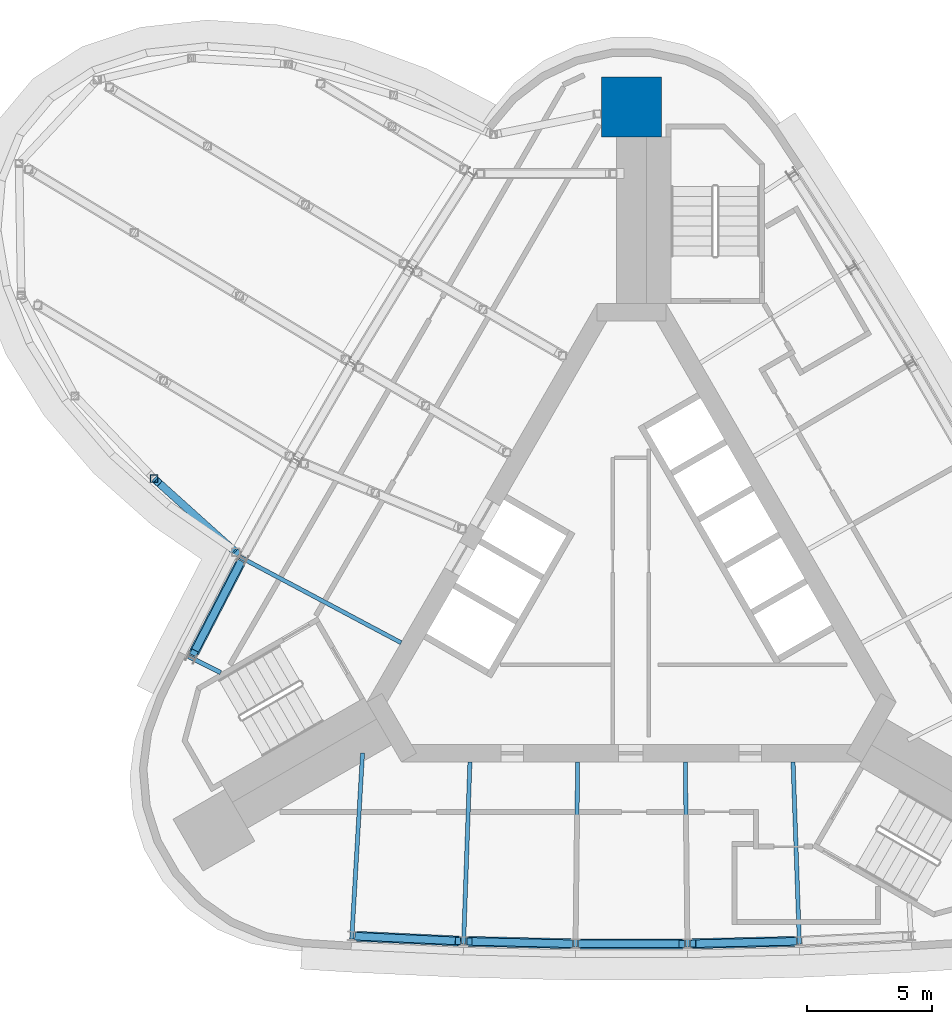
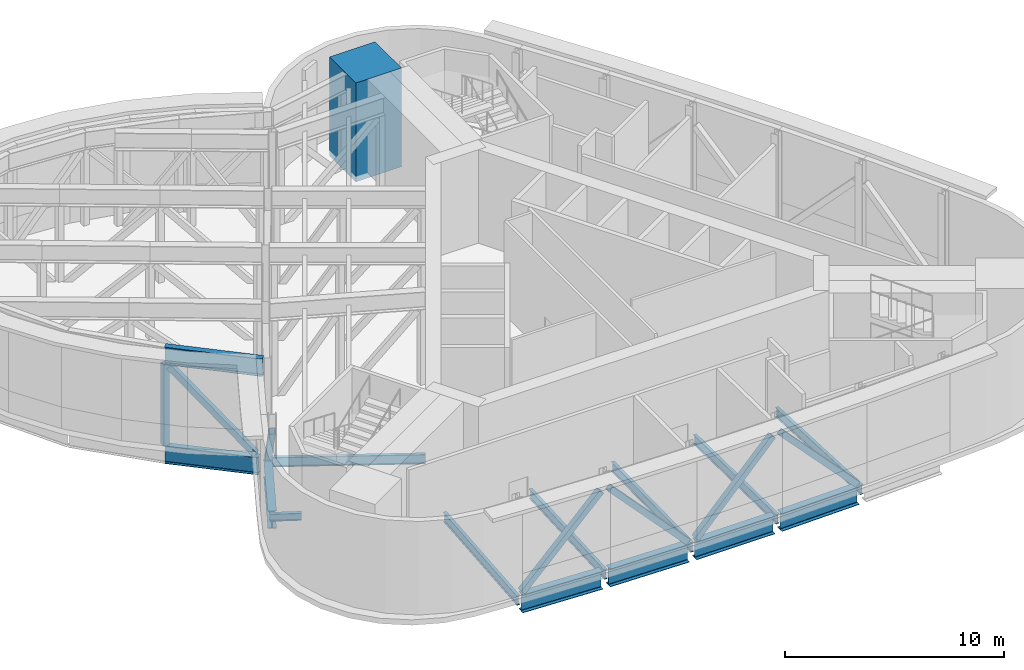
# One storey, part 2 of 11: 12 beams, 9 members, 1 column.
"""IFC4 building model written with IfcOpenShell, lengths in metres."""

from ifc_helpers import new_model, si_unit, direction, frame, origin, origin_2d, place, context, subcontext, project, spatial, rectangle, hollow_rectangle, i_section, extrude, material, material_profile, profile_set, type_object, element, save


model = new_model("IFC4")

# Units and contexts
model_context = context("Model", 3, precision=1e-05, world=origin(), true_north=direction((0.0, 1.0)))
body_context = subcontext(model_context, "Body", "Model", "MODEL_VIEW")
ifc_project = project(units=[si_unit("LENGTHUNIT", "METRE"), si_unit("AREAUNIT", "SQUARE_METRE"), si_unit("VOLUMEUNIT", "CUBIC_METRE"), si_unit("PLANEANGLEUNIT", "RADIAN"), si_unit("MASSUNIT", "GRAM", prefix="KILO")], contexts=[model_context])

# Site, building, storey
site_placement = place(None, origin())
site = spatial("IfcSite", under=ifc_project, at=site_placement, CompositionType="ELEMENT")
building_placement = place(site_placement, origin())
building = spatial("IfcBuilding", under=site, at=building_placement, Name="Noor Cloister Tower", CompositionType="ELEMENT")
storey_placement = place(building_placement, frame((0.0, 0.0, 258.0)))
storey = spatial("IfcBuildingStorey", under=building, at=storey_placement, Name="L66", CompositionType="ELEMENT", Elevation=258.0)

# Column
ifc_material_1 = material(Name="Concrete C60/75", Category="concrete")
ifc_material_profile_1 = material_profile(ifc_material_1, rectangle(XDim=2.39990234375, YDim=2.39990234375, at=origin_2d()), Name="RC 2400x2400")
ifc_profile_set_1 = profile_set([ifc_material_profile_1], Name="Concrete C60/75")
column_type = type_object("IfcColumnType", Name="Corner pier 2400 x 2400 C60/75", PredefinedType="COLUMN", material=ifc_profile_set_1)
column_placement = place(storey_placement, frame((0.0, 19.3349609375, -0.300048828125), z_axis=(0.0, 0.0, 1.0), x_axis=(0.0, 1.0, 0.0)))
element("IfcColumn", 1, at=column_placement, inside=storey, type_object=column_type, Name="Corner pier N L66", PredefinedType="COLUMN", context=body_context, shape_type="SweptSolid", body=[
    extrude(rectangle(XDim=2.39990234375, YDim=2.39990234375, at=origin_2d()), origin(), (0.0, 0.0, 1.0), 5.5),
])

# Beams
ifc_material_2 = material(Name="Steel ASTM A992 Gr 50", Category="steel")
ifc_material_profile_2 = material_profile(ifc_material_2, i_section(OverallWidth=0.40087890625, OverallDepth=0.98291015625, WebThickness=0.0166015625, FlangeThickness=0.027099609375, FilletRadius=0.030029296875, at=origin_2d()), Name="W1000x296")
ifc_profile_set_2 = profile_set([ifc_material_profile_2], Name="Steel ASTM A992 Gr 50")
beam_type_1 = type_object("IfcBeamType", Name="Belt chord girder W1000x296", PredefinedType="BEAM", material=ifc_profile_set_2)
beam_1_placement = place(storey_placement, frame((-15.677734375, 1.067138671875, -0.79150390625), z_axis=(-0.459295448048, -0.888283564749, 0.0), x_axis=(0.888283564749, -0.459295448048, 0.0)))
element("IfcBeam", 2, at=beam_1_placement, inside=storey, type_object=beam_type_1, Name="Spandrel beam NW 05 L66", PredefinedType="BEAM", context=body_context, shape_type="SweptSolid", body=[
    extrude(i_section(OverallWidth=0.40087890625, OverallDepth=0.98291015625, WebThickness=0.0166015625, FlangeThickness=0.027099609375, FilletRadius=0.030029296875, at=origin_2d()), origin(), (0.0, 0.0, 1.0), 4.116455078125),
])
for number, where, z_axis, x_axis, name in (
    (3, (-11.026611328125, -13.919921875, -0.79150390625), (0.998923795857, -0.046381570381, 0.0), (0.046381570381, 0.998923795857, 0.0), "Spandrel beam S 01 L66"),
    (4, (-6.5439453125, -14.123779296875, -0.79150390625), (0.999731038099, -0.023191624794, 0.0), (0.023191624794, 0.999731038099, 0.0), "Spandrel beam S 02 L66"),
    (5, (-2.05810546875, -14.2236328125, -0.79150390625), (1.0, 0.0, 0.0), (0.0, 1.0, 0.0), "Spandrel beam S 03 L66"),
    (6, (2.428955078125, -14.21923828125, -0.79150390625), (0.999731038099, 0.023191624794, 0.0), (-0.023191624794, 0.999731038099, 0.0), "Spandrel beam S 04 L66"),
):
    element("IfcBeam", number, at=place(storey_placement, frame(where, z_axis=z_axis, x_axis=x_axis)), inside=storey, type_object=beam_type_1, Name=name, PredefinedType="BEAM", context=body_context, shape_type="SweptSolid", body=[
        extrude(i_section(OverallWidth=0.40087890625, OverallDepth=0.98291015625, WebThickness=0.0166015625, FlangeThickness=0.027099609375, FilletRadius=0.030029296875, at=origin_2d()), origin(), (0.0, 0.0, 1.0), 4.1162109375),
    ])

# Members
ifc_material_3 = material(Name="Steel ASTM A500 Gr C", Category="steel")
ifc_material_profile_3 = material_profile(ifc_material_3, hollow_rectangle(XDim=0.304931640625, YDim=0.304931640625, WallThickness=0.0126953125, at=origin_2d()), Name="HSS304.8x304.8x12.7")
ifc_profile_set_3 = profile_set([ifc_material_profile_3], Name="Steel ASTM A500 Gr C")
member_type_1 = type_object("IfcMemberType", Name="Belt truss diagonal HSS304.8x304.8x12.7", PredefinedType="BRACE", material=ifc_profile_set_3)
for number, where, z_axis, x_axis, name in (
    (7, (-15.697265625, 1.029296875, -0.19580078125), (-0.313804014351, -0.606878095793, 0.730223265463), (0.888276437596, -0.459309231794, 0.0), "Belt truss diagonal NW 05 L66"),
    (8, (-10.984130859375, -13.921875, -0.19580078125), (0.682473583847, -0.031694844503, 0.730222736008), (0.046391129357, 0.998923351973, 0.0), "Belt truss diagonal S 01 L66"),
    (9, (-2.471435546875, -14.21826171875, -0.19580078125), (-0.683017949044, 0.015847572211, 0.730229645891), (-0.023196034919, -0.999730935784, 0.0), "Belt truss diagonal S 02 L66"),
    (10, (-2.015625, -14.2236328125, -0.19580078125), (0.683214071492, 0.0, 0.730218140364), (0.0, 1.0, 0.0), "Belt truss diagonal S 03 L66"),
    (11, (6.50146484375, -14.124755859375, -0.19580078125), (-0.683017949044, -0.015847572211, 0.730229645891), (0.023196034919, -0.999730935784, 0.0), "Belt truss diagonal S 04 L66"),
):
    element("IfcMember", number, at=place(storey_placement, frame(where, z_axis=z_axis, x_axis=x_axis)), inside=storey, type_object=member_type_1, Name=name, PredefinedType="BRACE", context=body_context, shape_type="SweptSolid", body=[
        extrude(hollow_rectangle(XDim=0.304931640625, YDim=0.304931640625, WallThickness=0.0126953125, at=origin_2d()), origin(), (0.0, 0.0, 1.0), 5.900390625),
    ])
ifc_material_4 = material(Name="Steel ASTM A992 Gr 50", Category="steel")
ifc_material_profile_4 = material_profile(ifc_material_4, i_section(OverallWidth=0.300048828125, OverallDepth=0.97998046875, WebThickness=0.0166015625, FlangeThickness=0.026123046875, FilletRadius=0.02978515625, at=origin_2d()), Name="W1000x249")
ifc_profile_set_4 = profile_set([ifc_material_profile_4], Name="Steel ASTM A992 Gr 50")
member_type_2 = type_object("IfcMemberType", Name="Pod ring chord W1000x249", PredefinedType="CHORD", material=ifc_profile_set_4)
member_1_placement = place(storey_placement, frame((-19.142578125, 4.42919921875, -0.7900390625), z_axis=(0.743091809694, -0.669189481661, 0.0), x_axis=(0.669189481661, 0.743091809694, 0.0)))
element("IfcMember", 12, at=member_1_placement, inside=storey, type_object=member_type_2, Name="Pod truss 5 bottom chord ring 10", PredefinedType="CHORD", context=body_context, shape_type="SweptSolid", body=[
    extrude(i_section(OverallWidth=0.300048828125, OverallDepth=0.97998046875, WebThickness=0.0166015625, FlangeThickness=0.026123046875, FilletRadius=0.02978515625, at=origin_2d()), origin(), (0.0, 0.0, 1.0), 4.380615234375),
])
member_2_placement = place(storey_placement, frame((-19.142578125, 4.42919921875, 4.7099609375), z_axis=(0.743075697011, -0.669207373324, 0.0), x_axis=(0.669207373324, 0.743075697011, 0.0)))
element("IfcMember", 13, at=member_2_placement, inside=storey, type_object=member_type_2, Name="Pod truss 5 top chord ring 10", PredefinedType="CHORD", context=body_context, shape_type="SweptSolid", body=[
    extrude(i_section(OverallWidth=0.300048828125, OverallDepth=0.97998046875, WebThickness=0.0166015625, FlangeThickness=0.026123046875, FilletRadius=0.02978515625, at=origin_2d()), origin(), (0.0, 0.0, 1.0), 4.5576171875),
])
ifc_material_5 = material(Name="Steel ASTM A500 Gr C", Category="steel")
ifc_material_profile_5 = material_profile(ifc_material_5, hollow_rectangle(XDim=0.304931640625, YDim=0.304931640625, WallThickness=0.0126953125, at=origin_2d()), Name="HSS304.8x304.8x12.7")
ifc_profile_set_5 = profile_set([ifc_material_profile_5], Name="Steel ASTM A500 Gr C")
member_type_3 = type_object("IfcMemberType", Name="Pod truss diagonal HSS304.8x304.8x12.7", PredefinedType="BRACE", material=ifc_profile_set_5)
member_3_placement = place(storey_placement, frame((-19.0, 4.30078125, 4.115966796875), z_axis=(0.506441274603, -0.456058177988, -0.731797904936), x_axis=(0.669176313237, 0.743103668274, 0.0)))
element("IfcMember", 14, at=member_3_placement, inside=storey, type_object=member_type_3, Name="Pod truss 5 diagonal ring 10", PredefinedType="BRACE", context=body_context, shape_type="SweptSolid", body=[
    extrude(hollow_rectangle(XDim=0.304931640625, YDim=0.304931640625, WallThickness=0.0126953125, at=origin_2d()), origin(), (0.0, 0.0, 1.0), 5.892333984375),
])
ifc_material_6 = material(Name="Steel ASTM A500 Gr C", Category="steel")
ifc_material_profile_6 = material_profile(ifc_material_6, hollow_rectangle(XDim=0.304931640625, YDim=0.304931640625, WallThickness=0.0126953125, at=origin_2d()), Name="HSS304.8x304.8x12.7")
ifc_profile_set_6 = profile_set([ifc_material_profile_6], Name="Steel ASTM A500 Gr C")
member_type_4 = type_object("IfcMemberType", Name="Pod truss post HSS304.8x304.8x12.7", PredefinedType="POST", material=ifc_profile_set_6)
member_4_placement = place(storey_placement, frame((-19.146728515625, 4.432861328125, -0.300048828125), z_axis=(0.0, 0.0, 1.0), x_axis=(1.0, 0.0, 0.0)))
element("IfcMember", 15, at=member_4_placement, inside=storey, type_object=member_type_4, Name="Pod truss 5 post ring node 9", PredefinedType="POST", context=body_context, shape_type="SweptSolid", body=[
    extrude(hollow_rectangle(XDim=0.304931640625, YDim=0.304931640625, WallThickness=0.0126953125, at=origin_2d()), origin(), (0.0, 0.0, 1.0), 4.52001953125),
])

# Beams
ifc_material_7 = material(Name="Steel ASTM A992 Gr 50", Category="steel")
ifc_material_profile_7 = material_profile(ifc_material_7, i_section(OverallWidth=0.177978515625, OverallDepth=0.406005859375, WebThickness=0.0078125, FlangeThickness=0.0126953125, FilletRadius=0.01025390625, at=origin_2d()), Name="W410x60")
ifc_profile_set_7 = profile_set([ifc_material_profile_7], Name="Steel ASTM A992 Gr 50")
beam_type_2 = type_object("IfcBeamType", Name="Radial beam W410x60", PredefinedType="BEAM", material=ifc_profile_set_7)
beam_2_placement = place(storey_placement, frame((-17.76025390625, -2.700439453125, -0.5029296875), z_axis=(0.893545786666, -0.448972078344, 0.0), x_axis=(0.448972078344, 0.893545786666, 0.0)))
element("IfcBeam", 16, at=beam_2_placement, inside=storey, type_object=beam_type_2, Name="Radial beam NW 06 L66", PredefinedType="BEAM", context=body_context, shape_type="SweptSolid", body=[
    extrude(i_section(OverallWidth=0.177978515625, OverallDepth=0.406005859375, WebThickness=0.0078125, FlangeThickness=0.0126953125, FilletRadius=0.01025390625, at=origin_2d()), origin(), (0.0, 0.0, 1.0), 1.443115234375),
])
ifc_material_8 = material(Name="Steel ASTM A992 Gr 50", Category="steel")
ifc_material_profile_8 = material_profile(ifc_material_8, i_section(OverallWidth=0.166015625, OverallDepth=0.528076171875, WebThickness=0.009765625, FlangeThickness=0.013671875, FilletRadius=0.0126953125, at=origin_2d()), Name="W530x74")
ifc_profile_set_8 = profile_set([ifc_material_profile_8], Name="Steel ASTM A992 Gr 50")
beam_type_3 = type_object("IfcBeamType", Name="Radial beam W530x74", PredefinedType="BEAM", material=ifc_profile_set_8)
beam_3_placement = place(storey_placement, frame((-15.697998046875, 1.287841796875, -0.56396484375), z_axis=(0.882903889785, -0.469553747085, 0.0), x_axis=(0.469553747085, 0.882903889785, 0.0)))
element("IfcBeam", 17, at=beam_3_placement, inside=storey, type_object=beam_type_3, Name="Radial beam NW 05 L66", PredefinedType="BEAM", context=body_context, shape_type="SweptSolid", body=[
    extrude(i_section(OverallWidth=0.166015625, OverallDepth=0.528076171875, WebThickness=0.009765625, FlangeThickness=0.013671875, FilletRadius=0.0126953125, at=origin_2d()), origin(), (0.0, 0.0, 1.0), 7.31494140625),
])
beam_4_placement = place(storey_placement, frame((-11.21875, -14.03076171875, -0.56396484375), z_axis=(0.057949858057, 0.998319494927, 0.0), x_axis=(-0.998319494927, 0.057949858057, 0.0)))
element("IfcBeam", 18, at=beam_4_placement, inside=storey, type_object=beam_type_3, Name="Radial beam S 01 L66", PredefinedType="BEAM", context=body_context, shape_type="SweptSolid", body=[
    extrude(i_section(OverallWidth=0.166015625, OverallDepth=0.528076171875, WebThickness=0.009765625, FlangeThickness=0.013671875, FilletRadius=0.0126953125, at=origin_2d()), origin(), (0.0, 0.0, 1.0), 7.469482421875),
])
beam_5_placement = place(storey_placement, frame((-6.733642578125, -14.23876953125, -0.56396484375), z_axis=(0.034777240267, 0.999395088821, 0.0), x_axis=(-0.999395088821, 0.034777240267, 0.0)))
element("IfcBeam", 19, at=beam_5_placement, inside=storey, type_object=beam_type_3, Name="Radial beam S 02 L66", PredefinedType="BEAM", context=body_context, shape_type="SweptSolid", body=[
    extrude(i_section(OverallWidth=0.166015625, OverallDepth=0.528076171875, WebThickness=0.009765625, FlangeThickness=0.013671875, FilletRadius=0.0126953125, at=origin_2d()), origin(), (0.0, 0.0, 1.0), 7.31494140625),
])
for number, where, z_axis, x_axis, name in (
    (20, (-2.244873046875, -14.343017578125, -0.56396484375), (0.011589225268, 0.999932842674, 0.0), (-0.999932842674, 0.011589225268, 0.0), "Radial beam S 03 L66"),
    (21, (2.244873046875, -14.343017578125, -0.56396484375), (-0.011589225268, 0.999932842674, 0.0), (-0.999932842674, -0.011589225268, 0.0), "Radial beam S 04 L66"),
):
    element("IfcBeam", number, at=place(storey_placement, frame(where, z_axis=z_axis, x_axis=x_axis)), inside=storey, type_object=beam_type_3, Name=name, PredefinedType="BEAM", context=body_context, shape_type="SweptSolid", body=[
        extrude(i_section(OverallWidth=0.166015625, OverallDepth=0.528076171875, WebThickness=0.009765625, FlangeThickness=0.013671875, FilletRadius=0.0126953125, at=origin_2d()), origin(), (0.0, 0.0, 1.0), 7.415283203125),
    ])
beam_6_placement = place(storey_placement, frame((6.733642578125, -14.23876953125, -0.56396484375), z_axis=(-0.034777240267, 0.999395088821, 0.0), x_axis=(-0.999395088821, -0.034777240267, 0.0)))
element("IfcBeam", 22, at=beam_6_placement, inside=storey, type_object=beam_type_3, Name="Radial beam S 05 L66", PredefinedType="BEAM", context=body_context, shape_type="SweptSolid", body=[
    extrude(i_section(OverallWidth=0.166015625, OverallDepth=0.528076171875, WebThickness=0.009765625, FlangeThickness=0.013671875, FilletRadius=0.0126953125, at=origin_2d()), origin(), (0.0, 0.0, 1.0), 7.31494140625),
])

save(model, "model.ifc")
